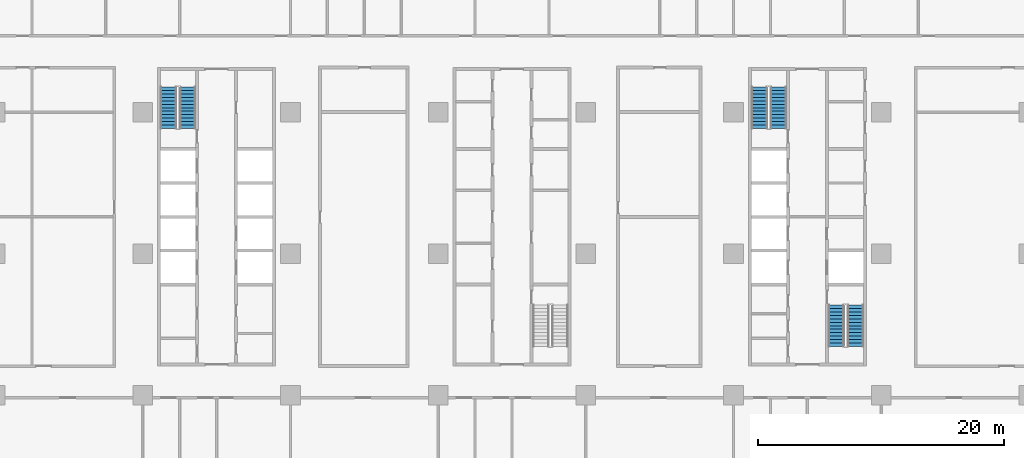
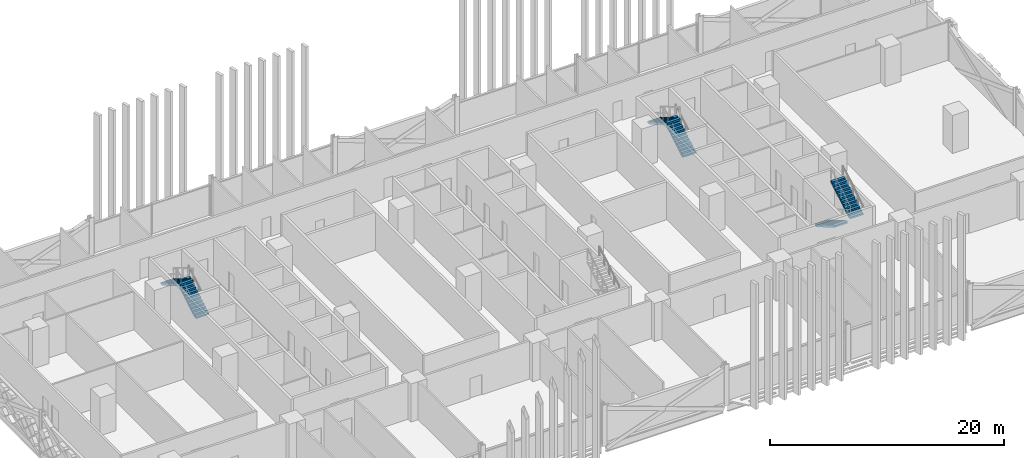
# One storey, part 16 of 29: 6 stair flights, 3 elements without a shape of their own.
"""IFC4 building model written with IfcOpenShell, lengths in metres."""

import ifcopenshell
import ifcopenshell.guid

model = None  # the IFC model being written
_history = None  # IfcOwnerHistory: only IFC2X3 demands one
_inside = {}  # id of a spatial element -> (the spatial element, [elements in it])
_under = {}  # id of a project, library or spatial element -> (it, [spatial elements below it])
_declared = {}  # id of a project -> (the project, [libraries it declares])
_typed = {}  # id of a type object -> (the type object, [elements of that type])
_made_of = {}  # id of a material, layer set ... -> (it, [elements and type objects made of it])


def new_model(schema):
    """Start an empty IFC model of exactly this schema.

    Asked for "IFC4X3", IfcOpenShell would pick the latest addendum, in which some entities
    have other attributes; the version numbers below select the first issue.
    IFC2X3 requires an IfcOwnerHistory on every rooted entity: one is made here for all.
    """
    global model, _history
    if schema == "IFC4X3":
        model = ifcopenshell.file(schema_version=(4, 3, 0, 0))
    else:
        model = ifcopenshell.file(schema=schema)
    _inside.clear()
    _under.clear()
    _declared.clear()
    _typed.clear()
    _made_of.clear()
    _history = None
    if model.schema == "IFC2X3":
        org = make("IfcOrganization", Name="unknown")
        user = make(
            "IfcPersonAndOrganization",
            ThePerson=make("IfcPerson", FamilyName="unknown"),
            TheOrganization=org,
        )
        app = make(
            "IfcApplication",
            ApplicationDeveloper=org,
            Version="unknown",
            ApplicationFullName="unknown",
            ApplicationIdentifier="unknown",
        )
        _history = make(
            "IfcOwnerHistory",
            OwningUser=user,
            OwningApplication=app,
            ChangeAction="ADDED",
            CreationDate=0,
        )
    return model


def make(cls, **values):
    """One entity of the class cls with the attributes given. An attribute that is None is left unset."""
    return model.create_entity(
        cls, **{name: value for name, value in values.items() if value is not None}
    )


def rooted(cls, **values):
    """An entity with a GlobalId (a new one), such as an element, a storey or a relation."""
    return make(cls, GlobalId=ifcopenshell.guid.new(), OwnerHistory=_history, **values)


def si_unit(unit_type, name, prefix=None):
    """IfcSIUnit, for example si_unit("LENGTHUNIT", "METRE", prefix="MILLI")."""
    return make("IfcSIUnit", UnitType=unit_type, Prefix=prefix, Name=name)


def assignment(units):
    """IfcUnitAssignment: the units of a project."""
    return None if units is None else make("IfcUnitAssignment", Units=units)


def point(xyz):
    """IfcCartesianPoint."""
    return None if xyz is None else make("IfcCartesianPoint", Coordinates=xyz)


def direction(xyz):
    """IfcDirection."""
    return None if xyz is None else make("IfcDirection", DirectionRatios=xyz)


def frame(location, z_axis=None, x_axis=None):
    """IfcAxis2Placement3D, a coordinate frame: its origin and axes. An axis left out is left unset."""
    return make(
        "IfcAxis2Placement3D",
        Location=point(location),
        Axis=direction(z_axis),
        RefDirection=direction(x_axis),
    )


def origin():
    """The frame at (0, 0, 0) with its axes left unset."""
    return frame((0.0, 0.0, 0.0))


def place(relative_to, where):
    """IfcLocalPlacement: puts the frame where relative to a parent placement (None: the world)."""
    return make(
        "IfcLocalPlacement", PlacementRelTo=relative_to, RelativePlacement=where
    )


def context(
    kind, dimensions, precision=None, world=None, true_north=None, identifier=None
):
    """IfcGeometricRepresentationContext, for example the 3D "Model" context."""
    return make(
        "IfcGeometricRepresentationContext",
        ContextIdentifier=identifier,
        ContextType=kind,
        CoordinateSpaceDimension=dimensions,
        Precision=precision,
        WorldCoordinateSystem=world,
        TrueNorth=true_north,
    )


def subcontext(parent, identifier, kind, view, scale=None):
    """IfcGeometricRepresentationSubContext, for example "Body" below "Model"."""
    return make(
        "IfcGeometricRepresentationSubContext",
        ContextIdentifier=identifier,
        ContextType=kind,
        ParentContext=parent,
        TargetScale=scale,
        TargetView=view,
    )


def project(units=None, contexts=None):
    """IfcProject with its units and contexts."""
    return rooted(
        "IfcProject",
        Name="project",
        RepresentationContexts=contexts,
        UnitsInContext=assignment(units),
    )


def spatial(cls, under=None, at=None, **own):
    """A site, building, storey or space (cls), placed at a placement, below another one or the project."""
    s = rooted(cls, ObjectPlacement=at, **own)
    if under is not None:
        _under.setdefault(under.id(), (under, []))[1].append(s)
    return s


def polyline(points):
    """IfcPolyline through the points."""
    return make("IfcPolyline", Points=[point(p) for p in points])


def outline(outer, holes=None, kind="AREA"):
    """IfcArbitraryClosedProfileDef: a profile drawn as a closed curve; with holes, ...WithVoids."""
    if holes is None:
        return make("IfcArbitraryClosedProfileDef", ProfileType=kind, OuterCurve=outer)
    return make(
        "IfcArbitraryProfileDefWithVoids",
        ProfileType=kind,
        OuterCurve=outer,
        InnerCurves=holes,
    )


def extrude(swept, where, along, depth):
    """IfcExtrudedAreaSolid: the profile swept, set in the frame where, extruded along a direction by depth."""
    return make(
        "IfcExtrudedAreaSolid",
        SweptArea=swept,
        Position=where,
        ExtrudedDirection=direction(along),
        Depth=depth,
    )


def shape(context_of_items, identifier, shape_type, items):
    """IfcShapeRepresentation: the items that make up one representation, for example the "Body"."""
    return make(
        "IfcShapeRepresentation",
        ContextOfItems=context_of_items,
        RepresentationIdentifier=identifier,
        RepresentationType=shape_type,
        Items=items,
    )


def material(Name=None, Category=None):
    """IfcMaterial."""
    return make("IfcMaterial", Name=Name, Category=Category)


def made_of(thing, what):
    """Note that an element or type object is made of a material, layer set ...; save() writes the relation."""
    if what is not None:
        _made_of.setdefault(what.id(), (what, []))[1].append(thing)
    return thing


def type_object(cls, material=None, **own):
    """A type object (cls), such as IfcWallType, which elements share."""
    return made_of(rooted(cls, **own), material)


def element(
    cls,
    number,
    at=None,
    inside=None,
    cuts=None,
    type_object=None,
    material=None,
    context=None,
    identifier="Body",
    shape_type=None,
    held_by="IfcProductDefinitionShape",
    body=None,
    shapes=None,
    **own,
):
    """One element of the class cls, such as IfcWall. Its Tag is "e" and its number.

    at: its placement. inside: the storey or other place that contains it. cuts: it is an
    opening in that element (IfcRelVoidsElement). A single representation is given by context,
    identifier, shape_type and body (its items); several are given by shapes. held_by: the class
    of the entity that holds the representations. save() writes the other relations.
    """
    e = rooted(cls, Tag="e%d" % number, ObjectPlacement=at, **own)
    if body is not None:
        shapes = [shape(context, identifier, shape_type, body)]
    if shapes is not None:
        e.Representation = make(held_by, Representations=shapes)
    if inside is not None:
        _inside.setdefault(inside.id(), (inside, []))[1].append(e)
    if cuts is not None:
        rooted(
            "IfcRelVoidsElement", RelatingBuildingElement=cuts, RelatedOpeningElement=e
        )
    if type_object is not None:
        _typed.setdefault(type_object.id(), (type_object, []))[1].append(e)
    return made_of(e, material)


def aggregate(whole, parts):
    """IfcRelAggregates: a whole, such as a stair, and the parts it consists of."""
    return rooted("IfcRelAggregates", RelatingObject=whole, RelatedObjects=parts)


def save(model, path):
    """Write the relations noted so far, then the file.

    IfcRelAggregates (storeys below a building ...), IfcRelContainedInSpatialStructure (elements
    in a storey), IfcRelDefinesByType, IfcRelAssociatesMaterial and IfcRelDeclares: one each for
    every whole, place, type object, material and project.
    """
    for whole, parts in _under.values():
        aggregate(whole, parts)
    for where, things in _inside.values():
        rooted(
            "IfcRelContainedInSpatialStructure",
            RelatedElements=things,
            RelatingStructure=where,
        )
    for kind, things in _typed.values():
        rooted("IfcRelDefinesByType", RelatedObjects=things, RelatingType=kind)
    for what, things in _made_of.values():
        rooted("IfcRelAssociatesMaterial", RelatedObjects=things, RelatingMaterial=what)
    for by, libraries in _declared.values():
        rooted("IfcRelDeclares", RelatingContext=by, RelatedDefinitions=libraries)
    model.write(path)


model = new_model("IFC4")

# Units and contexts
model_context = context("Model", 3, precision=1e-05, world=origin(), true_north=direction((0.0, 1.0)))
body_context = subcontext(model_context, "Body", "Model", "MODEL_VIEW")
ifc_project = project(units=[si_unit("LENGTHUNIT", "METRE"), si_unit("AREAUNIT", "SQUARE_METRE"), si_unit("VOLUMEUNIT", "CUBIC_METRE"), si_unit("PLANEANGLEUNIT", "RADIAN"), si_unit("MASSUNIT", "GRAM", prefix="KILO")], contexts=[model_context])

# Site, building, storey
site_placement = place(None, origin())
site = spatial("IfcSite", under=ifc_project, at=site_placement, CompositionType="ELEMENT")
building_placement = place(site_placement, origin())
building = spatial("IfcBuilding", under=site, at=building_placement, Name="Mahtab Terrace Research Tower", CompositionType="ELEMENT")
storey_placement = place(building_placement, frame((0.0, 0.0, 24.39990234375)))
storey = spatial("IfcBuildingStorey", under=building, at=storey_placement, Name="L05", CompositionType="ELEMENT", Elevation=24.39990234375)

# Stair, stair flights
ifc_material_1 = material(Name="Exit stair half-turn")
stair_type = type_object("IfcStairType", Name="Exit stair half-turn", PredefinedType="HALF_TURN_STAIR", material=ifc_material_1)
stair_1_placement = place(storey_placement, origin())
stair_1 = element("IfcStair", 1, at=stair_1_placement, inside=storey, type_object=stair_type, Name="L05 Protected exit stair ST1", PredefinedType="HALF_TURN_STAIR")
ifc_material_2 = material(Name="Concrete C40/50", Category="concrete")
stair_flight_type = type_object("IfcStairFlightType", Name="Exit stair flight 1300", PredefinedType="STRAIGHT", material=ifc_material_2)
stair_flight_1_placement = place(storey_placement, frame((-26.35009765625, 10.175048828125, 0.0), z_axis=(0.0, 0.0, 1.0), x_axis=(0.0, 1.0, 0.0)))
stair_flight_1 = element("IfcStairFlight", 2, at=stair_flight_1_placement, type_object=stair_flight_type, Name="ST1 flight 1", NumberOfRisers=13, NumberOfTreads=12, PredefinedType="STRAIGHT", RiserHeight=0.165384615, TreadLength=0.28, context=body_context, shape_type="SweptSolid", body=[
    extrude(outline(polyline([(0.0, 0.0), (0.0, 0.165283203125), (0.280029296875, 0.165283203125), (0.280029296875, 0.330810546875), (0.56005859375, 0.330810546875), (0.56005859375, 0.49609375), (0.840087890625, 0.49609375), (0.840087890625, 0.66162109375), (1.1201171875, 0.66162109375), (1.1201171875, 0.826904296875), (1.39990234375, 0.826904296875), (1.39990234375, 0.9921875), (1.679931640625, 0.9921875), (1.679931640625, 1.15771484375), (1.9599609375, 1.15771484375), (1.9599609375, 1.322998046875), (2.239990234375, 1.322998046875), (2.239990234375, 1.488525390625), (2.52001953125, 1.488525390625), (2.52001953125, 1.65380859375), (2.800048828125, 1.65380859375), (2.800048828125, 1.8193359375), (3.080078125, 1.8193359375), (3.080078125, 1.984619140625), (3.360107421875, 1.984619140625), (3.360107421875, 2.14990234375), (3.360107421875, 1.810546875), (0.294677734375, 0.0), (0.0, 0.0)])), frame((0.0, 0.64990234375, 0.0), z_axis=(0.0, -1.0, 0.0), x_axis=(1.0, 0.0, 0.0)), (0.0, 0.0, 1.0), 1.300048828125),
])
stair_flight_2_placement = place(storey_placement, frame((-27.89990234375, 13.534912109375, 2.150146484375), z_axis=(0.0, 0.0, 1.0), x_axis=(0.0, -1.0, 0.0)))
stair_flight_2 = element("IfcStairFlight", 3, at=stair_flight_2_placement, type_object=stair_flight_type, Name="ST1 flight 2", NumberOfRisers=13, NumberOfTreads=12, PredefinedType="STRAIGHT", RiserHeight=0.165384615, TreadLength=0.28, context=body_context, shape_type="SweptSolid", body=[
    extrude(outline(polyline([(0.0, 0.0), (0.0, 0.165283203125), (0.280029296875, 0.165283203125), (0.280029296875, 0.330810546875), (0.56005859375, 0.330810546875), (0.56005859375, 0.49609375), (0.840087890625, 0.49609375), (0.840087890625, 0.66162109375), (1.1201171875, 0.66162109375), (1.1201171875, 0.826904296875), (1.39990234375, 0.826904296875), (1.39990234375, 0.9921875), (1.679931640625, 0.9921875), (1.679931640625, 1.15771484375), (1.9599609375, 1.15771484375), (1.9599609375, 1.322998046875), (2.239990234375, 1.322998046875), (2.239990234375, 1.488525390625), (2.52001953125, 1.488525390625), (2.52001953125, 1.65380859375), (2.800048828125, 1.65380859375), (2.800048828125, 1.8193359375), (3.080078125, 1.8193359375), (3.080078125, 1.984619140625), (3.360107421875, 1.984619140625), (3.360107421875, 2.14990234375), (3.360107421875, 1.810546875), (0.294677734375, 0.0), (0.0, 0.0)])), frame((0.0, 0.64990234375, 0.0), z_axis=(0.0, -1.0, 0.0), x_axis=(1.0, 0.0, 0.0)), (0.0, 0.0, 1.0), 1.300048828125),
])
aggregate(stair_1, [stair_flight_1, stair_flight_2])

stair_2_placement = place(storey_placement, origin())
stair_2 = element("IfcStair", 4, at=stair_2_placement, inside=storey, type_object=stair_type, Name="L05 Protected exit stair ST3", PredefinedType="HALF_TURN_STAIR")
stair_flight_3_placement = place(storey_placement, frame((21.64990234375, 10.175048828125, 0.0), z_axis=(0.0, 0.0, 1.0), x_axis=(0.0, 1.0, 0.0)))
stair_flight_3 = element("IfcStairFlight", 5, at=stair_flight_3_placement, type_object=stair_flight_type, Name="ST3 flight 1", NumberOfRisers=13, NumberOfTreads=12, PredefinedType="STRAIGHT", RiserHeight=0.165384615, TreadLength=0.28, context=body_context, shape_type="SweptSolid", body=[
    extrude(outline(polyline([(0.0, 0.0), (0.0, 0.165283203125), (0.280029296875, 0.165283203125), (0.280029296875, 0.330810546875), (0.56005859375, 0.330810546875), (0.56005859375, 0.49609375), (0.840087890625, 0.49609375), (0.840087890625, 0.66162109375), (1.1201171875, 0.66162109375), (1.1201171875, 0.826904296875), (1.39990234375, 0.826904296875), (1.39990234375, 0.9921875), (1.679931640625, 0.9921875), (1.679931640625, 1.15771484375), (1.9599609375, 1.15771484375), (1.9599609375, 1.322998046875), (2.239990234375, 1.322998046875), (2.239990234375, 1.488525390625), (2.52001953125, 1.488525390625), (2.52001953125, 1.65380859375), (2.800048828125, 1.65380859375), (2.800048828125, 1.8193359375), (3.080078125, 1.8193359375), (3.080078125, 1.984619140625), (3.360107421875, 1.984619140625), (3.360107421875, 2.14990234375), (3.360107421875, 1.810546875), (0.294677734375, 0.0), (0.0, 0.0)])), frame((0.0, 0.64990234375, 0.0), z_axis=(0.0, -1.0, 0.0), x_axis=(1.0, 0.0, 0.0)), (0.0, 0.0, 1.0), 1.300048828125),
])
stair_flight_4_placement = place(storey_placement, frame((20.10009765625, 13.534912109375, 2.150146484375), z_axis=(0.0, 0.0, 1.0), x_axis=(0.0, -1.0, 0.0)))
stair_flight_4 = element("IfcStairFlight", 6, at=stair_flight_4_placement, type_object=stair_flight_type, Name="ST3 flight 2", NumberOfRisers=13, NumberOfTreads=12, PredefinedType="STRAIGHT", RiserHeight=0.165384615, TreadLength=0.28, context=body_context, shape_type="SweptSolid", body=[
    extrude(outline(polyline([(0.0, 0.0), (0.0, 0.165283203125), (0.280029296875, 0.165283203125), (0.280029296875, 0.330810546875), (0.56005859375, 0.330810546875), (0.56005859375, 0.49609375), (0.840087890625, 0.49609375), (0.840087890625, 0.66162109375), (1.1201171875, 0.66162109375), (1.1201171875, 0.826904296875), (1.39990234375, 0.826904296875), (1.39990234375, 0.9921875), (1.679931640625, 0.9921875), (1.679931640625, 1.15771484375), (1.9599609375, 1.15771484375), (1.9599609375, 1.322998046875), (2.239990234375, 1.322998046875), (2.239990234375, 1.488525390625), (2.52001953125, 1.488525390625), (2.52001953125, 1.65380859375), (2.800048828125, 1.65380859375), (2.800048828125, 1.8193359375), (3.080078125, 1.8193359375), (3.080078125, 1.984619140625), (3.360107421875, 1.984619140625), (3.360107421875, 2.14990234375), (3.360107421875, 1.810546875), (0.294677734375, 0.0), (0.0, 0.0)])), frame((0.0, 0.64990234375, 0.0), z_axis=(0.0, -1.0, 0.0), x_axis=(1.0, 0.0, 0.0)), (0.0, 0.0, 1.0), 1.300048828125),
])
aggregate(stair_2, [stair_flight_3, stair_flight_4])

stair_3_placement = place(storey_placement, origin())
stair_3 = element("IfcStair", 7, at=stair_3_placement, inside=storey, type_object=stair_type, Name="L05 Protected exit stair ST4", PredefinedType="HALF_TURN_STAIR")
stair_flight_5_placement = place(storey_placement, frame((26.35009765625, -4.175048828125, 0.0), z_axis=(0.0, 0.0, 1.0), x_axis=(0.0, -1.0, 0.0)))
stair_flight_5 = element("IfcStairFlight", 8, at=stair_flight_5_placement, type_object=stair_flight_type, Name="ST4 flight 1", NumberOfRisers=13, NumberOfTreads=12, PredefinedType="STRAIGHT", RiserHeight=0.165384615, TreadLength=0.28, context=body_context, shape_type="SweptSolid", body=[
    extrude(outline(polyline([(0.0, 0.0), (0.0, 0.165283203125), (0.280029296875, 0.165283203125), (0.280029296875, 0.330810546875), (0.56005859375, 0.330810546875), (0.56005859375, 0.49609375), (0.840087890625, 0.49609375), (0.840087890625, 0.66162109375), (1.1201171875, 0.66162109375), (1.1201171875, 0.826904296875), (1.39990234375, 0.826904296875), (1.39990234375, 0.9921875), (1.679931640625, 0.9921875), (1.679931640625, 1.15771484375), (1.9599609375, 1.15771484375), (1.9599609375, 1.322998046875), (2.239990234375, 1.322998046875), (2.239990234375, 1.488525390625), (2.52001953125, 1.488525390625), (2.52001953125, 1.65380859375), (2.800048828125, 1.65380859375), (2.800048828125, 1.8193359375), (3.080078125, 1.8193359375), (3.080078125, 1.984619140625), (3.360107421875, 1.984619140625), (3.360107421875, 2.14990234375), (3.360107421875, 1.810546875), (0.294677734375, 0.0), (0.0, 0.0)])), frame((0.0, 0.64990234375, 0.0), z_axis=(0.0, -1.0, 0.0), x_axis=(1.0, 0.0, 0.0)), (0.0, 0.0, 1.0), 1.300048828125),
])
stair_flight_6_placement = place(storey_placement, frame((27.89990234375, -7.534912109375, 2.150146484375), z_axis=(0.0, 0.0, 1.0), x_axis=(0.0, 1.0, 0.0)))
stair_flight_6 = element("IfcStairFlight", 9, at=stair_flight_6_placement, type_object=stair_flight_type, Name="ST4 flight 2", NumberOfRisers=13, NumberOfTreads=12, PredefinedType="STRAIGHT", RiserHeight=0.165384615, TreadLength=0.28, context=body_context, shape_type="SweptSolid", body=[
    extrude(outline(polyline([(0.0, 0.0), (0.0, 0.165283203125), (0.280029296875, 0.165283203125), (0.280029296875, 0.330810546875), (0.56005859375, 0.330810546875), (0.56005859375, 0.49609375), (0.840087890625, 0.49609375), (0.840087890625, 0.66162109375), (1.1201171875, 0.66162109375), (1.1201171875, 0.826904296875), (1.39990234375, 0.826904296875), (1.39990234375, 0.9921875), (1.679931640625, 0.9921875), (1.679931640625, 1.15771484375), (1.9599609375, 1.15771484375), (1.9599609375, 1.322998046875), (2.239990234375, 1.322998046875), (2.239990234375, 1.488525390625), (2.52001953125, 1.488525390625), (2.52001953125, 1.65380859375), (2.800048828125, 1.65380859375), (2.800048828125, 1.8193359375), (3.080078125, 1.8193359375), (3.080078125, 1.984619140625), (3.360107421875, 1.984619140625), (3.360107421875, 2.14990234375), (3.360107421875, 1.810546875), (0.294677734375, 0.0), (0.0, 0.0)])), frame((0.0, 0.64990234375, 0.0), z_axis=(0.0, -1.0, 0.0), x_axis=(1.0, 0.0, 0.0)), (0.0, 0.0, 1.0), 1.300048828125),
])
aggregate(stair_3, [stair_flight_5, stair_flight_6])

save(model, "model.ifc")
